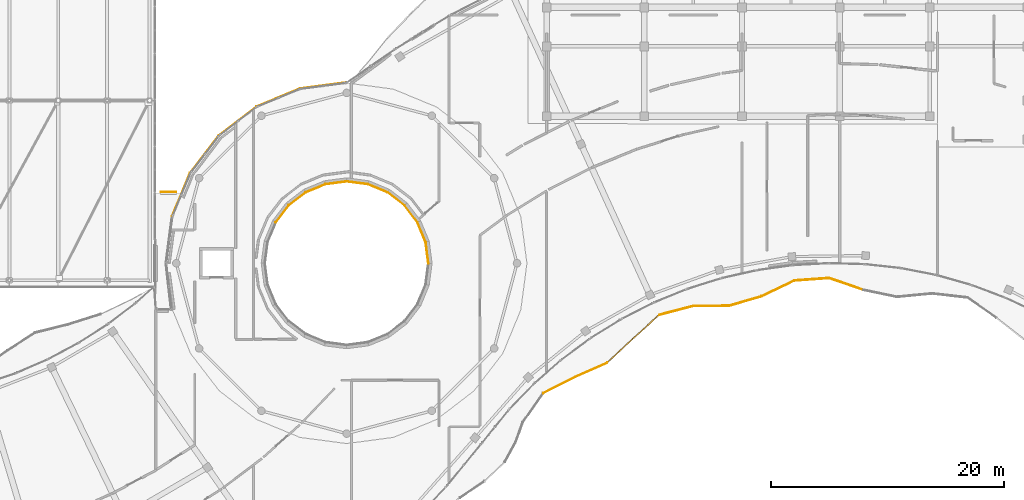
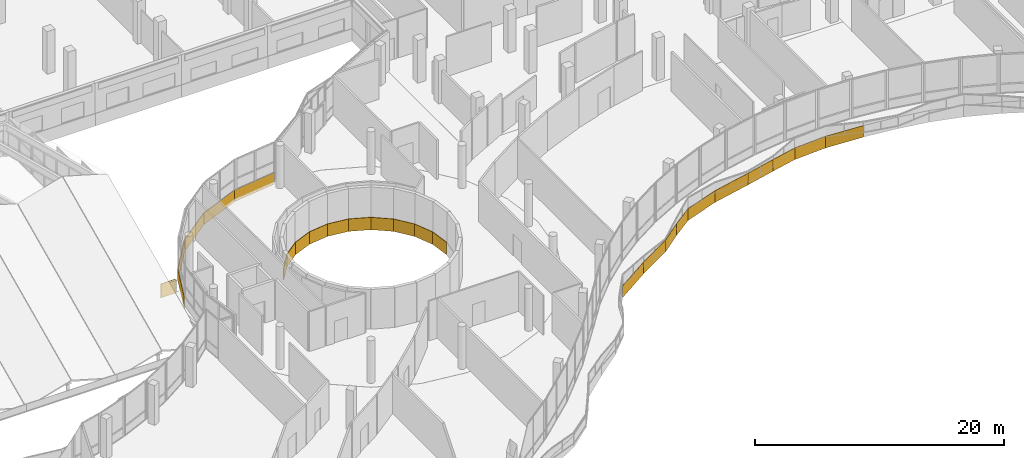
# One storey, part 178 of 184: 26 coverings.
"""IFC4 building model written with IfcOpenShell, lengths in metres."""

from ifc_helpers import new_model, si_unit, direction, frame, origin, origin_2d, place, context, subcontext, project, spatial, polyline, rectangle, outline, extrude, material, layer, layer_set, type_object, element, save


model = new_model("IFC4")

# Units and contexts
model_context = context("Model", 3, precision=1e-05, world=origin(), true_north=direction((0.0, 1.0)))
body_context = subcontext(model_context, "Body", "Model", "MODEL_VIEW")
ifc_project = project(units=[si_unit("LENGTHUNIT", "METRE"), si_unit("AREAUNIT", "SQUARE_METRE"), si_unit("VOLUMEUNIT", "CUBIC_METRE"), si_unit("PLANEANGLEUNIT", "RADIAN"), si_unit("MASSUNIT", "GRAM", prefix="KILO")], contexts=[model_context])

# Site, building, storey
site_placement = place(None, origin())
site = spatial("IfcSite", under=ifc_project, at=site_placement, CompositionType="ELEMENT")
building_placement = place(site_placement, origin())
building = spatial("IfcBuilding", under=site, at=building_placement, Name="Selatvlak General Hospital", CompositionType="ELEMENT")
storey_placement = place(building_placement, frame((0.0, 0.0, 15.0)))
storey = spatial("IfcBuildingStorey", under=building, at=storey_placement, Name="L03", CompositionType="ELEMENT", Elevation=15.0)

# Coverings
ifc_material_1 = material(Name="PVDF aluminium fascia - cobalt blue", Category="aluminium")
ifc_layer_1 = layer(ifc_material_1, 0.070068359375, Name="PVDF aluminium fascia - cobalt blue", Category="aluminium")
ifc_layer_set_1 = layer_set([ifc_layer_1], Name="PVDF aluminium fascia - cobalt blue")
covering_type_1 = type_object("IfcCoveringType", Name="COV-RB-BLU", PredefinedType="CLADDING", material=ifc_layer_set_1)
covering_1_placement = place(storey_placement, frame((114.910888671875, 42.83203125, -1.169921875), z_axis=(0.0, 0.0, 1.0), x_axis=(0.891620508338, 0.45278346824, 0.0)))
element("IfcCovering", 1, at=covering_1_placement, inside=storey, type_object=covering_type_1, Name="L03 De Stijl waving fascia streamer 353", PredefinedType="CLADDING", context=body_context, shape_type="SweptSolid", body=[
    extrude(outline(polyline([(0.0, 0.0), (3.0810546875, 0.52880859375), (3.0810546875, 1.668701171875), (0.0, 1.139892578125), (0.0, 0.0)])), frame((0.0, 0.03515625, 0.0), z_axis=(0.0, -1.0, 0.0), x_axis=(1.0, 0.0, 0.0)), (0.0, 0.0, 1.0), 0.070068359375),
])
covering_2_placement = place(storey_placement, frame((117.658935546875, 44.22802734375, -0.64111328125), z_axis=(0.0, 0.0, 1.0), x_axis=(0.915401382423, 0.402542307166, 0.0)))
element("IfcCovering", 2, at=covering_2_placement, inside=storey, type_object=covering_type_1, Name="L03 De Stijl waving fascia streamer 354", PredefinedType="CLADDING", context=body_context, shape_type="SweptSolid", body=[
    extrude(outline(polyline([(0.0, 0.0), (3.0009765625, 0.461181640625), (3.0009765625, 1.60107421875), (0.0, 1.139892578125), (0.0, 0.0)])), frame((0.0, 0.03515625, 0.0), z_axis=(0.0, -1.0, 0.0), x_axis=(1.0, 0.0, 0.0)), (0.0, 0.0, 1.0), 0.070068359375),
])
covering_3_placement = place(storey_placement, frame((120.406982421875, 45.43701171875, -0.179931640625), z_axis=(0.0, 0.0, 1.0), x_axis=(0.727594075941, 0.686007915885, 0.0)))
element("IfcCovering", 3, at=covering_3_placement, inside=storey, type_object=covering_type_1, Name="L03 De Stijl waving fascia streamer 355", PredefinedType="CLADDING", context=body_context, shape_type="SweptSolid", body=[
    extrude(outline(polyline([(0.0, 0.0), (2.982421875, -0.4169921875), (2.982421875, 0.722900390625), (0.0, 1.139892578125), (0.0, 0.0)])), frame((0.0, 0.03515625, 0.0), z_axis=(0.0, -1.0, 0.0), x_axis=(1.0, 0.0, 0.0)), (0.0, 0.0, 1.0), 0.070068359375),
])
covering_4_placement = place(storey_placement, frame((122.577880859375, 47.48291015625, -0.596923828125), z_axis=(0.0, 0.0, 1.0), x_axis=(0.741812503135, 0.670607344273, 0.0)))
element("IfcCovering", 4, at=covering_4_placement, inside=storey, type_object=covering_type_1, Name="L03 De Stijl waving fascia streamer 356", PredefinedType="CLADDING", context=body_context, shape_type="SweptSolid", body=[
    extrude(outline(polyline([(0.0, 0.0), (3.0927734375, -0.56201171875), (3.0927734375, 0.577880859375), (0.0, 1.139892578125), (0.0, 0.0)])), frame((0.0, 0.03515625, 0.0), z_axis=(0.0, -1.0, 0.0), x_axis=(1.0, 0.0, 0.0)), (0.0, 0.0, 1.0), 0.070068359375),
])
covering_5_placement = place(storey_placement, frame((124.873046875, 49.55810546875, -1.158935546875), z_axis=(0.0, 0.0, 1.0), x_axis=(0.967767064545, 0.251846994784, 0.0)))
element("IfcCovering", 5, at=covering_5_placement, inside=storey, type_object=covering_type_1, Name="L03 De Stijl waving fascia streamer 357", PredefinedType="CLADDING", context=body_context, shape_type="SweptSolid", body=[
    extrude(outline(polyline([(0.0, 0.0), (3.025390625, 0.279052734375), (3.025390625, 1.4189453125), (0.0, 1.139892578125), (0.0, 0.0)])), frame((0.0, 0.03515625, 0.0), z_axis=(0.0, -1.0, 0.0), x_axis=(1.0, 0.0, 0.0)), (0.0, 0.0, 1.0), 0.070068359375),
])
covering_6_placement = place(storey_placement, frame((127.802978515625, 50.320068359375, -0.8798828125), z_axis=(0.0, 0.0, 1.0), x_axis=(0.999983249149, 0.005788041325, 0.0)))
element("IfcCovering", 6, at=covering_6_placement, inside=storey, type_object=covering_type_1, Name="L03 De Stijl waving fascia streamer 358", PredefinedType="CLADDING", context=body_context, shape_type="SweptSolid", body=[
    extrude(outline(polyline([(0.0, 0.0), (3.0791015625, 0.6298828125), (3.0791015625, 1.769775390625), (0.0, 1.139892578125), (0.0, 0.0)])), frame((0.0, 0.03515625, 0.0), z_axis=(0.0, -1.0, 0.0), x_axis=(1.0, 0.0, 0.0)), (0.0, 0.0, 1.0), 0.070068359375),
])
covering_7_placement = place(storey_placement, frame((130.883056640625, 50.339111328125, -0.25), z_axis=(0.0, 0.0, 1.0), x_axis=(0.960111303311, 0.279618106091, 0.0)))
element("IfcCovering", 7, at=covering_7_placement, inside=storey, type_object=covering_type_1, Name="L03 De Stijl waving fascia streamer 359", PredefinedType="CLADDING", context=body_context, shape_type="SweptSolid", body=[
    extrude(outline(polyline([(0.0, 0.0), (2.92138671875, -0.125), (2.92138671875, 1.014892578125), (0.0, 1.139892578125), (0.0, 0.0)])), frame((0.0, 0.03515625, 0.0), z_axis=(0.0, -1.0, 0.0), x_axis=(1.0, 0.0, 0.0)), (0.0, 0.0, 1.0), 0.070068359375),
])
covering_8_placement = place(storey_placement, frame((133.68896484375, 51.156005859375, -0.375), z_axis=(0.0, 0.0, 1.0), x_axis=(0.900750600449, 0.434336684831, 0.0)))
element("IfcCovering", 8, at=covering_8_placement, inside=storey, type_object=covering_type_1, Name="L03 De Stijl waving fascia streamer 360", PredefinedType="CLADDING", context=body_context, shape_type="SweptSolid", body=[
    extrude(outline(polyline([(0.0, 0.0), (3.11279296875, -0.660888671875), (3.11279296875, 0.47900390625), (0.0, 1.139892578125), (0.0, 0.0)])), frame((0.0, 0.03515625, 0.0), z_axis=(0.0, -1.0, 0.0), x_axis=(1.0, 0.0, 0.0)), (0.0, 0.0, 1.0), 0.070068359375),
])
covering_9_placement = place(storey_placement, frame((136.493896484375, 52.508056640625, -1.035888671875), z_axis=(0.0, 0.0, 1.0), x_axis=(0.99735606735, 0.072669628602, 0.0)))
element("IfcCovering", 9, at=covering_9_placement, inside=storey, type_object=covering_type_1, Name="L03 De Stijl waving fascia streamer 361", PredefinedType="CLADDING", context=body_context, shape_type="SweptSolid", body=[
    extrude(outline(polyline([(0.0, 0.0), (3.0, -0.0361328125), (3.0, 1.103759765625), (0.0, 1.139892578125), (0.0, 0.0)])), frame((0.0, 0.03515625, 0.0), z_axis=(0.0, -1.0, 0.0), x_axis=(1.0, 0.0, 0.0)), (0.0, 0.0, 1.0), 0.070068359375),
])
covering_10_placement = place(storey_placement, frame((139.487060546875, 52.72607421875, -1.072021484375), z_axis=(0.0, 0.0, 1.0), x_axis=(0.944883444137, -0.327406898209, 0.0)))
element("IfcCovering", 10, at=covering_10_placement, inside=storey, type_object=covering_type_1, Name="L03 De Stijl waving fascia streamer 362", PredefinedType="CLADDING", context=body_context, shape_type="SweptSolid", body=[
    extrude(outline(polyline([(0.0, 0.0), (3.112548828125, 0.652099609375), (3.112548828125, 1.7919921875), (0.0, 1.139892578125), (0.0, 0.0)])), frame((0.0, 0.03515625, 0.0), z_axis=(0.0, -1.0, 0.0), x_axis=(1.0, 0.0, 0.0)), (0.0, 0.0, 1.0), 0.070068359375),
])
ifc_material_2 = material(Name="White Bauhaus fair-faced cladding panel")
ifc_layer_2 = layer(ifc_material_2, 0.054931640625, Name="White Bauhaus fair-faced cladding panel")
ifc_layer_set_2 = layer_set([ifc_layer_2], Name="White Bauhaus fair-faced cladding panel")
covering_type_2 = type_object("IfcCoveringType", Name="COV-WHT1", PredefinedType="CLADDING", material=ifc_layer_set_2)
for number, where, z_axis, x_axis, name in (
    (11, (83.764892578125, 59.89501953125, -0.300048828125), (0.0, 0.0, 1.0), (0.382618932474, 0.923906246603, 0.0), "L03 Rotunda white Bauhaus spandrel ring 0251"),
    (12, (85.77587890625, 63.3779296875, -0.300048828125), (0.0, 0.0, 1.0), (0.608747582288, 0.793363965062, 0.0), "L03 Rotunda white Bauhaus spandrel ring 0252"),
    (13, (88.6201171875, 66.221923828125, -0.300048828125), (0.0, 0.0, 1.0), (0.793363965062, 0.608747582288, 0.0), "L03 Rotunda white Bauhaus spandrel ring 0253"),
    (14, (92.10302734375, 68.23291015625, -0.300048828125), (0.0, 0.0, 1.0), (0.923819409341, 0.382828550301, 0.0), "L03 Rotunda white Bauhaus spandrel ring 0254"),
):
    element("IfcCovering", number, at=place(storey_placement, frame(where, z_axis=z_axis, x_axis=x_axis)), inside=storey, type_object=covering_type_2, Name=name, PredefinedType="CLADDING", context=body_context, shape_type="SweptSolid", body=[
        extrude(rectangle(XDim=4.0458984375, YDim=0.054931640625, at=origin_2d()), origin(), (0.0, 0.0, 1.0), 1.14990234375),
    ])
covering_11_placement = place(storey_placement, frame((95.988037109375, 69.27490234375, -0.300048828125), z_axis=(0.0, 0.0, 1.0), x_axis=(0.991419783872, 0.130716533562, 0.0)))
element("IfcCovering", 15, at=covering_11_placement, inside=storey, type_object=covering_type_2, Name="L03 Rotunda white Bauhaus spandrel ring 0255", PredefinedType="CLADDING", context=body_context, shape_type="SweptSolid", body=[
    extrude(rectangle(XDim=4.047119140625, YDim=0.054931640625, at=origin_2d()), origin(), (0.0, 0.0, 1.0), 1.14990234375),
])
covering_12_placement = place(storey_placement, frame((100.675048828125, 60.43896484375, -0.27978515625), z_axis=(0.0, 0.0, 1.0), x_axis=(-0.923330901489, 0.384005268657, 0.0)))
element("IfcCovering", 16, at=covering_12_placement, inside=storey, type_object=covering_type_2, Name="L03 Bauhaus horizontal white spandrel band 0270", PredefinedType="CLADDING", context=body_context, shape_type="SweptSolid", body=[
    extrude(rectangle(XDim=1.8798828125, YDim=0.054931640625, at=origin_2d()), origin(), (0.0, 0.0, 1.0), 1.219970703125),
])
covering_13_placement = place(storey_placement, frame((98.9169921875, 60.912109375, -0.27978515625), z_axis=(0.0, 0.0, 1.0), x_axis=(-0.991316813579, 0.131495152443, 0.0)))
element("IfcCovering", 17, at=covering_13_placement, inside=storey, type_object=covering_type_2, Name="L03 Bauhaus horizontal white spandrel band 0271", PredefinedType="CLADDING", context=body_context, shape_type="SweptSolid", body=[
    extrude(rectangle(XDim=1.8779296875, YDim=0.054931640625, at=origin_2d()), origin(), (0.0, 0.0, 1.0), 1.219970703125),
])
covering_14_placement = place(storey_placement, frame((97.097900390625, 60.9140625, -0.27978515625), z_axis=(0.0, 0.0, 1.0), x_axis=(-0.991601332113, -0.129332123433, 0.0)))
element("IfcCovering", 18, at=covering_14_placement, inside=storey, type_object=covering_type_2, Name="L03 Bauhaus horizontal white spandrel band 0272", PredefinedType="CLADDING", context=body_context, shape_type="SweptSolid", body=[
    extrude(rectangle(XDim=1.87890625, YDim=0.054931640625, at=origin_2d()), origin(), (0.0, 0.0, 1.0), 1.219970703125),
])
covering_15_placement = place(storey_placement, frame((95.339111328125, 60.445068359375, -0.27978515625), z_axis=(0.0, 0.0, 1.0), x_axis=(-0.924239792771, -0.381812526586, 0.0)))
element("IfcCovering", 19, at=covering_15_placement, inside=storey, type_object=covering_type_2, Name="L03 Bauhaus horizontal white spandrel band 0273", PredefinedType="CLADDING", context=body_context, shape_type="SweptSolid", body=[
    extrude(rectangle(XDim=1.8798828125, YDim=0.054931640625, at=origin_2d()), origin(), (0.0, 0.0, 1.0), 1.219970703125),
])
for number, where, z_axis, x_axis, name in (
    (20, (93.760986328125, 59.535888671875, -0.27978515625), (0.0, 0.0, 1.0), (-0.79408588232, -0.607805570475, 0.0), "L03 Bauhaus horizontal white spandrel band 0274"),
    (21, (92.472900390625, 58.25, -0.27978515625), (0.0, 0.0, 1.0), (-0.609328984843, -0.792917516662, 0.0), "L03 Bauhaus horizontal white spandrel band 0275"),
    (22, (104.9140625, 54.902099609375, -0.27978515625), (0.0, 0.0, 1.0), (-0.129332123433, 0.991601332113, 0.0), "L03 Bauhaus horizontal white spandrel band 0290"),
):
    element("IfcCovering", number, at=place(storey_placement, frame(where, z_axis=z_axis, x_axis=x_axis)), inside=storey, type_object=covering_type_2, Name=name, PredefinedType="CLADDING", context=body_context, shape_type="SweptSolid", body=[
        extrude(rectangle(XDim=1.87890625, YDim=0.054931640625, at=origin_2d()), origin(), (0.0, 0.0, 1.0), 1.219970703125),
    ])
covering_16_placement = place(storey_placement, frame((104.445068359375, 56.660888671875, -0.27978515625), z_axis=(0.0, 0.0, 1.0), x_axis=(-0.381812526586, 0.924239792771, 0.0)))
element("IfcCovering", 23, at=covering_16_placement, inside=storey, type_object=covering_type_2, Name="L03 Bauhaus horizontal white spandrel band 0291", PredefinedType="CLADDING", context=body_context, shape_type="SweptSolid", body=[
    extrude(rectangle(XDim=1.8798828125, YDim=0.054931640625, at=origin_2d()), origin(), (0.0, 0.0, 1.0), 1.219970703125),
])
for number, where, z_axis, x_axis, name in (
    (24, (103.535888671875, 58.239013671875, -0.27978515625), (0.0, 0.0, 1.0), (-0.607805570475, 0.79408588232, 0.0), "L03 Bauhaus horizontal white spandrel band 0292"),
    (25, (102.25, 59.527099609375, -0.27978515625), (0.0, 0.0, 1.0), (-0.792917516662, 0.609328984843, 0.0), "L03 Bauhaus horizontal white spandrel band 0293"),
):
    element("IfcCovering", number, at=place(storey_placement, frame(where, z_axis=z_axis, x_axis=x_axis)), inside=storey, type_object=covering_type_2, Name=name, PredefinedType="CLADDING", context=body_context, shape_type="SweptSolid", body=[
        extrude(rectangle(XDim=1.87890625, YDim=0.054931640625, at=origin_2d()), origin(), (0.0, 0.0, 1.0), 1.219970703125),
    ])
covering_17_placement = place(storey_placement, frame((82.681884765625, 60.125, -0.170166015625), z_axis=(0.0, 0.0, 1.0), x_axis=(1.0, 0.0, 0.0)))
element("IfcCovering", 26, at=covering_17_placement, inside=storey, type_object=covering_type_2, Name="L03 Roof parapet white Bauhaus coping 0645", PredefinedType="CLADDING", context=body_context, shape_type="SweptSolid", body=[
    extrude(rectangle(XDim=1.365966796875, YDim=0.054931640625, at=origin_2d()), origin(), (0.0, 0.0, 1.0), 1.3701171875),
])

save(model, "model.ifc")
